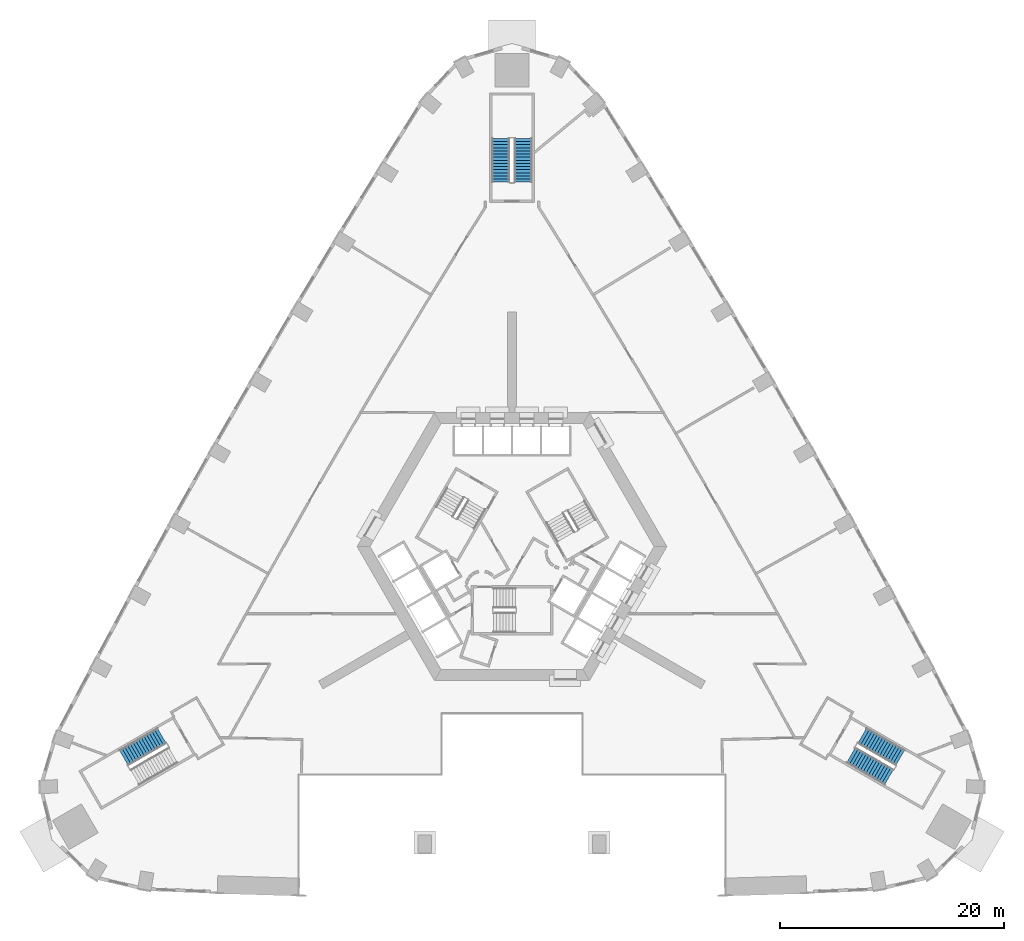
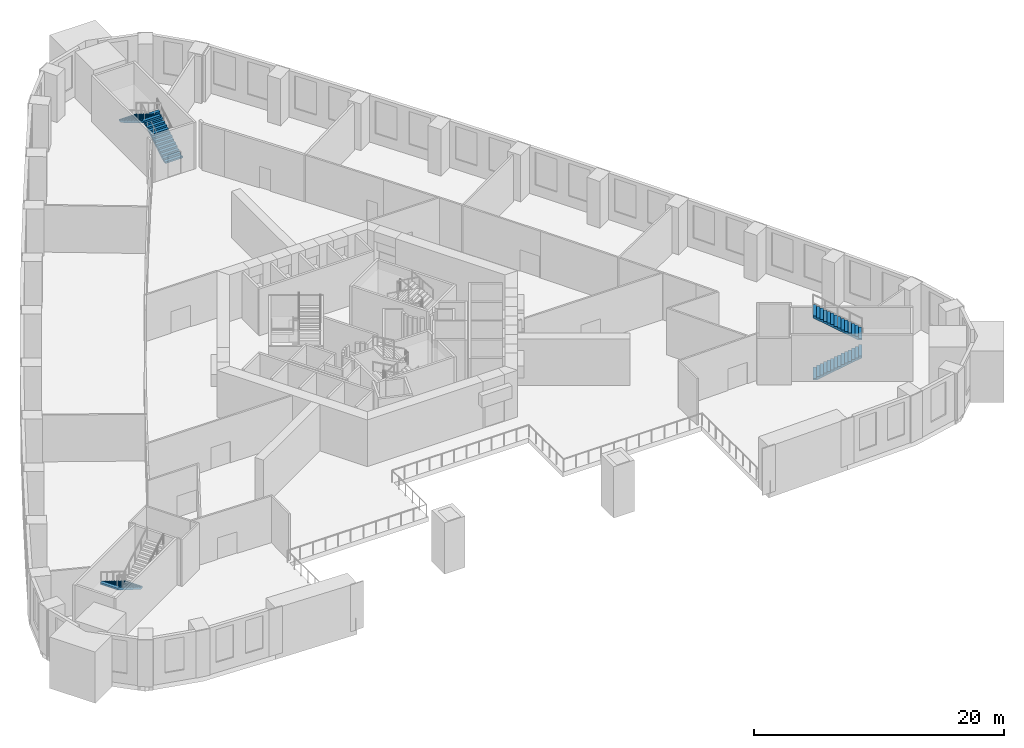
# One storey, part 9 of 16: 5 stair flights, 3 elements without a shape of their own.
"""IFC4 building model written with IfcOpenShell, lengths in metres."""

from ifc_helpers import new_model, si_unit, direction, frame, origin, place, context, subcontext, project, spatial, polyline, outline, extrude, material, type_object, element, aggregate, save


model = new_model("IFC4")

# Units and contexts
model_context = context("Model", 3, precision=1e-05, world=origin(), true_north=direction((0.0, 1.0)))
body_context = subcontext(model_context, "Body", "Model", "MODEL_VIEW")
ifc_project = project(units=[si_unit("LENGTHUNIT", "METRE"), si_unit("AREAUNIT", "SQUARE_METRE"), si_unit("VOLUMEUNIT", "CUBIC_METRE"), si_unit("PLANEANGLEUNIT", "RADIAN"), si_unit("MASSUNIT", "GRAM", prefix="KILO")], contexts=[model_context])

# Site, building, storey
site_placement = place(None, origin())
site = spatial("IfcSite", under=ifc_project, at=site_placement, CompositionType="ELEMENT")
building_placement = place(site_placement, origin())
building = spatial("IfcBuilding", under=site, at=building_placement, Name="Entoto Arch Interchange Tower", CompositionType="ELEMENT")
storey_placement = place(building_placement, frame((0.0, 0.0, 25.0)))
storey = spatial("IfcBuildingStorey", under=building, at=storey_placement, Name="L04", CompositionType="ELEMENT", Elevation=25.0)

# Stair, stair flights
ifc_material = material(Name="Concrete C40/50", Category="concrete")
stair_type = type_object("IfcStairType", Name="PODIUM EXIT STAIR RC 1600", PredefinedType="HALF_TURN_STAIR", material=ifc_material)
stair_1_placement = place(storey_placement, origin())
stair_1 = element("IfcStair", 1, at=stair_1_placement, inside=storey, type_object=stair_type, Name="L04 Podium exit stair north", PredefinedType="HALF_TURN_STAIR")
stair_flight_type = type_object("IfcStairFlightType", Name="PODIUM EXIT STAIR FLIGHT RC", PredefinedType="STRAIGHT", material=ifc_material)
stair_flight_1_placement = place(storey_placement, frame((1.0, 35.10009765625, 0.0), z_axis=(0.0, 0.0, 1.0), x_axis=(0.0, 1.0, 0.0)))
stair_flight_1 = element("IfcStairFlight", 2, at=stair_flight_1_placement, type_object=stair_flight_type, Name="PST-N flight 1", NumberOfRisers=15, NumberOfTreads=14, PredefinedType="STRAIGHT", RiserHeight=0.166666667, TreadLength=0.28, context=body_context, shape_type="SweptSolid", body=[
    extrude(outline(polyline([(-0.0029296875, 0.0), (-0.0029296875, 0.166748046875), (0.280029296875, 0.166748046875), (0.280029296875, 0.333251953125), (0.56005859375, 0.333251953125), (0.56005859375, 0.5), (0.840087890625, 0.5), (0.840087890625, 0.666748046875), (1.1201171875, 0.666748046875), (1.1201171875, 0.833251953125), (1.39990234375, 0.833251953125), (1.39990234375, 1.0), (1.679931640625, 1.0), (1.679931640625, 1.166748046875), (1.9599609375, 1.166748046875), (1.9599609375, 1.333251953125), (2.239990234375, 1.333251953125), (2.239990234375, 1.5), (2.52001953125, 1.5), (2.52001953125, 1.666748046875), (2.800048828125, 1.666748046875), (2.800048828125, 1.833251953125), (3.080078125, 1.833251953125), (3.080078125, 2.0), (3.360107421875, 2.0), (3.360107421875, 2.166748046875), (3.639892578125, 2.166748046875), (3.639892578125, 2.333251953125), (3.919921875, 2.333251953125), (3.923095703125, 2.333251953125), (3.923095703125, 2.16064453125), (0.29296875, 0.0), (-0.0029296875, 0.0)])), frame((0.0, 0.800048828125, 0.0), z_axis=(0.0, -1.0, 0.0), x_axis=(1.0, 0.0, 0.0)), (0.0, 0.0, 1.0), 1.60009765625),
])
stair_flight_2_placement = place(storey_placement, frame((-1.0, 39.02001953125, 2.5), z_axis=(0.0, 0.0, 1.0), x_axis=(0.0, -1.0, 0.0)))
stair_flight_2 = element("IfcStairFlight", 3, at=stair_flight_2_placement, type_object=stair_flight_type, Name="PST-N flight 2", NumberOfRisers=15, NumberOfTreads=14, PredefinedType="STRAIGHT", RiserHeight=0.166666667, TreadLength=0.28, context=body_context, shape_type="SweptSolid", body=[
    extrude(outline(polyline([(-0.0029296875, 0.0), (-0.0029296875, 0.166748046875), (0.280029296875, 0.166748046875), (0.280029296875, 0.333251953125), (0.56005859375, 0.333251953125), (0.56005859375, 0.5), (0.840087890625, 0.5), (0.840087890625, 0.666748046875), (1.1201171875, 0.666748046875), (1.1201171875, 0.833251953125), (1.39990234375, 0.833251953125), (1.39990234375, 1.0), (1.679931640625, 1.0), (1.679931640625, 1.166748046875), (1.9599609375, 1.166748046875), (1.9599609375, 1.333251953125), (2.239990234375, 1.333251953125), (2.239990234375, 1.5), (2.52001953125, 1.5), (2.52001953125, 1.666748046875), (2.800048828125, 1.666748046875), (2.800048828125, 1.833251953125), (3.080078125, 1.833251953125), (3.080078125, 2.0), (3.360107421875, 2.0), (3.360107421875, 2.166748046875), (3.639892578125, 2.166748046875), (3.639892578125, 2.333251953125), (3.919921875, 2.333251953125), (3.923095703125, 2.333251953125), (3.923095703125, 2.16064453125), (0.29296875, 0.0), (-0.0029296875, 0.0)])), frame((0.0, 0.800048828125, 0.0), z_axis=(0.0, -1.0, 0.0), x_axis=(1.0, 0.0, 0.0)), (0.0, 0.0, 1.0), 1.60009765625),
])
aggregate(stair_1, [stair_flight_1, stair_flight_2])

# Stair, stair flight
stair_2_placement = place(storey_placement, origin())
stair_2 = element("IfcStair", 4, at=stair_2_placement, inside=storey, type_object=stair_type, Name="L04 Podium exit stair south-west", PredefinedType="HALF_TURN_STAIR")
stair_flight_3_placement = place(storey_placement, frame((-31.33056640625, -14.43408203125, 0.0), z_axis=(0.0, 0.0, 1.0), x_axis=(-0.866025403784, -0.5, 0.0)))
stair_flight_3 = element("IfcStairFlight", 5, at=stair_flight_3_placement, type_object=stair_flight_type, Name="PST-SW flight 1", NumberOfRisers=15, NumberOfTreads=14, PredefinedType="STRAIGHT", RiserHeight=0.166666667, TreadLength=0.28, context=body_context, shape_type="SweptSolid", body=[
    extrude(outline(polyline([(-0.0029296875, 0.0), (-0.0029296875, 0.166748046875), (0.280029296875, 0.166748046875), (0.280029296875, 0.333251953125), (0.56005859375, 0.333251953125), (0.56005859375, 0.5), (0.840087890625, 0.5), (0.840087890625, 0.666748046875), (1.1201171875, 0.666748046875), (1.1201171875, 0.833251953125), (1.39990234375, 0.833251953125), (1.39990234375, 1.0), (1.679931640625, 1.0), (1.679931640625, 1.166748046875), (1.9599609375, 1.166748046875), (1.9599609375, 1.333251953125), (2.239990234375, 1.333251953125), (2.239990234375, 1.5), (2.52001953125, 1.5), (2.52001953125, 1.666748046875), (2.800048828125, 1.666748046875), (2.800048828125, 1.833251953125), (3.080078125, 1.833251953125), (3.080078125, 2.0), (3.360107421875, 2.0), (3.360107421875, 2.166748046875), (3.639892578125, 2.166748046875), (3.639892578125, 2.333251953125), (3.919921875, 2.333251953125), (3.923095703125, 2.333251953125), (3.923095703125, 2.16064453125), (0.29296875, 0.0), (-0.0029296875, 0.0)])), frame((0.0, 0.800048828125, 0.0), z_axis=(0.0, -1.0, 0.0), x_axis=(1.0, 0.0, 0.0)), (0.0, 0.0, 1.0), 1.60009765625),
])
aggregate(stair_2, [stair_flight_3])

# Stair, stair flights
stair_3_placement = place(storey_placement, origin())
stair_3 = element("IfcStair", 6, at=stair_3_placement, inside=storey, type_object=stair_type, Name="L04 Podium exit stair south-east", PredefinedType="HALF_TURN_STAIR")
stair_flight_4_placement = place(storey_placement, frame((30.33056640625, -16.166015625, 0.0), z_axis=(0.0, 0.0, 1.0), x_axis=(0.866025403784, -0.5, 0.0)))
stair_flight_4 = element("IfcStairFlight", 7, at=stair_flight_4_placement, type_object=stair_flight_type, Name="PST-SE flight 1", NumberOfRisers=15, NumberOfTreads=14, PredefinedType="STRAIGHT", RiserHeight=0.166666667, TreadLength=0.28, context=body_context, shape_type="SweptSolid", body=[
    extrude(outline(polyline([(-0.0029296875, 0.0), (-0.0029296875, 0.166748046875), (0.280029296875, 0.166748046875), (0.280029296875, 0.333251953125), (0.56005859375, 0.333251953125), (0.56005859375, 0.5), (0.840087890625, 0.5), (0.840087890625, 0.666748046875), (1.1201171875, 0.666748046875), (1.1201171875, 0.833251953125), (1.39990234375, 0.833251953125), (1.39990234375, 1.0), (1.679931640625, 1.0), (1.679931640625, 1.166748046875), (1.9599609375, 1.166748046875), (1.9599609375, 1.333251953125), (2.239990234375, 1.333251953125), (2.239990234375, 1.5), (2.52001953125, 1.5), (2.52001953125, 1.666748046875), (2.800048828125, 1.666748046875), (2.800048828125, 1.833251953125), (3.080078125, 1.833251953125), (3.080078125, 2.0), (3.360107421875, 2.0), (3.360107421875, 2.166748046875), (3.639892578125, 2.166748046875), (3.639892578125, 2.333251953125), (3.919921875, 2.333251953125), (3.923095703125, 2.333251953125), (3.923095703125, 2.16064453125), (0.29296875, 0.0), (-0.0029296875, 0.0)])), frame((0.0, 0.800048828125, 0.0), z_axis=(0.0, -1.0, 0.0), x_axis=(1.0, 0.0, 0.0)), (0.0, 0.0, 1.0), 1.60009765625),
])
stair_flight_5_placement = place(storey_placement, frame((34.725341796875, -16.39404296875, 2.5), z_axis=(0.0, 0.0, 1.0), x_axis=(-0.866025403784, 0.5, 0.0)))
stair_flight_5 = element("IfcStairFlight", 8, at=stair_flight_5_placement, type_object=stair_flight_type, Name="PST-SE flight 2", NumberOfRisers=15, NumberOfTreads=14, PredefinedType="STRAIGHT", RiserHeight=0.166666667, TreadLength=0.28, context=body_context, shape_type="SweptSolid", body=[
    extrude(outline(polyline([(-0.0029296875, 0.0), (-0.0029296875, 0.166748046875), (0.280029296875, 0.166748046875), (0.280029296875, 0.333251953125), (0.56005859375, 0.333251953125), (0.56005859375, 0.5), (0.840087890625, 0.5), (0.840087890625, 0.666748046875), (1.1201171875, 0.666748046875), (1.1201171875, 0.833251953125), (1.39990234375, 0.833251953125), (1.39990234375, 1.0), (1.679931640625, 1.0), (1.679931640625, 1.166748046875), (1.9599609375, 1.166748046875), (1.9599609375, 1.333251953125), (2.239990234375, 1.333251953125), (2.239990234375, 1.5), (2.52001953125, 1.5), (2.52001953125, 1.666748046875), (2.800048828125, 1.666748046875), (2.800048828125, 1.833251953125), (3.080078125, 1.833251953125), (3.080078125, 2.0), (3.360107421875, 2.0), (3.360107421875, 2.166748046875), (3.639892578125, 2.166748046875), (3.639892578125, 2.333251953125), (3.919921875, 2.333251953125), (3.923095703125, 2.333251953125), (3.923095703125, 2.16064453125), (0.29296875, 0.0), (-0.0029296875, 0.0)])), frame((0.0, 0.800048828125, 0.0), z_axis=(0.0, -1.0, 0.0), x_axis=(1.0, 0.0, 0.0)), (0.0, 0.0, 1.0), 1.60009765625),
])
aggregate(stair_3, [stair_flight_4, stair_flight_5])

save(model, "model.ifc")
